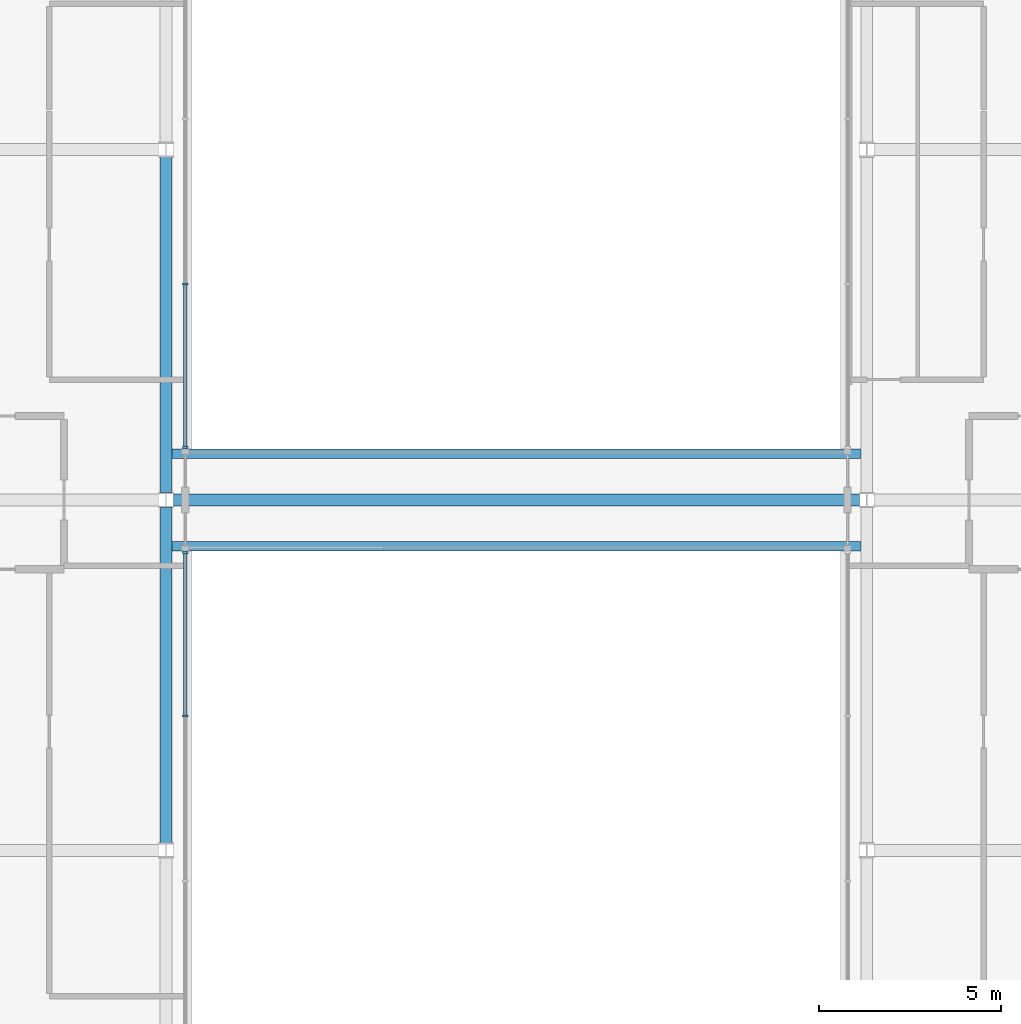
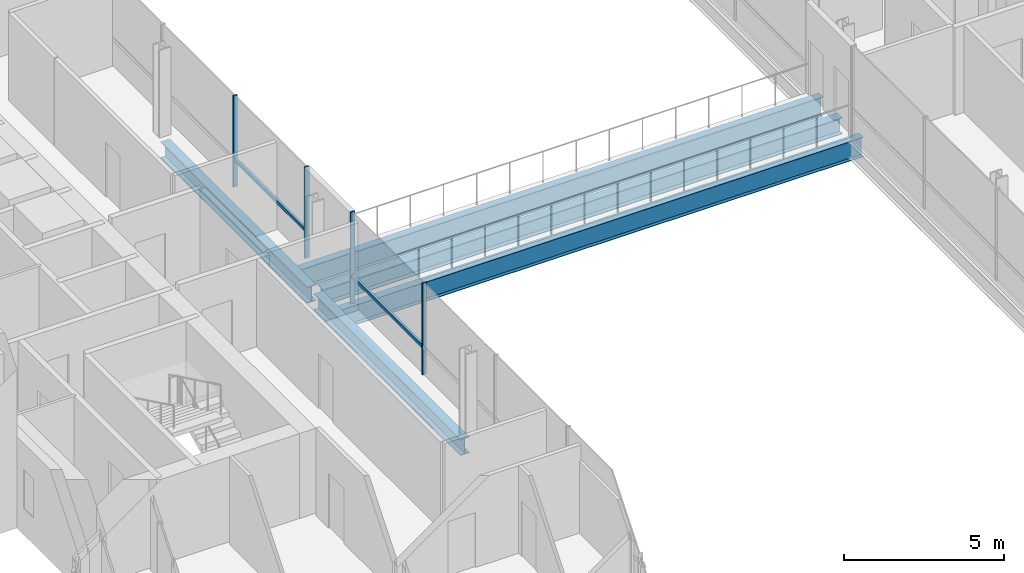
# One storey, part 4 of 26: 6 members, 5 beams, 2 elements without a shape of their own.
"""IFC4 building model written with IfcOpenShell, lengths in metres."""

from ifc_helpers import new_model, si_unit, direction, frame, origin, origin_2d, place, context, subcontext, project, spatial, rectangle, i_section, extrude, material, material_profile, profile_set, type_object, element, aggregate, save


model = new_model("IFC4")

# Units and contexts
model_context = context("Model", 3, precision=1e-05, world=origin(), true_north=direction((0.0, 1.0)))
body_context = subcontext(model_context, "Body", "Model", "MODEL_VIEW")
ifc_project = project(units=[si_unit("LENGTHUNIT", "METRE"), si_unit("AREAUNIT", "SQUARE_METRE"), si_unit("VOLUMEUNIT", "CUBIC_METRE"), si_unit("PLANEANGLEUNIT", "RADIAN"), si_unit("MASSUNIT", "GRAM", prefix="KILO")], contexts=[model_context])

# Site, building, storey
site_placement = place(None, origin())
site = spatial("IfcSite", under=ifc_project, at=site_placement, CompositionType="ELEMENT")
building_placement = place(site_placement, origin())
building = spatial("IfcBuilding", under=site, at=building_placement, Name="Cobrizo Arcos Hotel Tower", CompositionType="ELEMENT")
storey_placement = place(building_placement, frame((0.0, 0.0, 67.0)))
storey = spatial("IfcBuildingStorey", under=building, at=storey_placement, Name="L15", CompositionType="ELEMENT", Elevation=67.0)

# Curtain wall, members
ifc_material_1 = material(Name="Aluminium 6063-T6 anodised bronze", Category="aluminium")
curtain_wall_type = type_object("IfcCurtainWallType", Name="CW-F void screen", PredefinedType="NOTDEFINED", material=ifc_material_1)
curtain_wall_1_placement = place(storey_placement, origin())
curtain_wall_1 = element("IfcCurtainWall", 1, at=curtain_wall_1_placement, inside=storey, type_object=curtain_wall_type, Name="CW-F L15 void screen A", PredefinedType="NOTDEFINED")
ifc_material_profile_1 = material_profile(ifc_material_1, rectangle(XDim=0.14990234375, YDim=0.06005859375, at=origin_2d()), Name="CW-F mullion 150x60")
ifc_profile_set_1 = profile_set([ifc_material_profile_1], Name="Aluminium 6063-T6 anodised bronze")
member_type_1 = type_object("IfcMemberType", Name="CW-F mullion 150x60", PredefinedType="MULLION", material=ifc_profile_set_1)
member_1_placement = place(storey_placement, frame((-9.074951171875, 5.919921875, 0.0), z_axis=(0.0, 0.0, 1.0), x_axis=(-1.0, 0.0, 0.0)))
member_1 = element("IfcMember", 2, at=member_1_placement, type_object=member_type_1, Name="CW-F mullion 5", PredefinedType="MULLION", context=body_context, shape_type="SweptSolid", body=[
    extrude(rectangle(XDim=0.14990234375, YDim=0.06005859375, at=origin_2d()), origin(), (0.0, 0.0, 1.0), 3.5),
])
member_2_placement = place(storey_placement, frame((-9.074951171875, 1.429931640625, 0.0), z_axis=(0.0, 0.0, 1.0), x_axis=(-1.0, 0.0, 0.0)))
member_2 = element("IfcMember", 3, at=member_2_placement, type_object=member_type_1, Name="CW-F mullion 6", PredefinedType="MULLION", context=body_context, shape_type="SweptSolid", body=[
    extrude(rectangle(XDim=0.14990234375, YDim=0.06005859375, at=origin_2d()), origin(), (0.0, 0.0, 1.0), 3.5),
])

curtain_wall_2_placement = place(storey_placement, origin())
curtain_wall_2 = element("IfcCurtainWall", 4, at=curtain_wall_2_placement, inside=storey, type_object=curtain_wall_type, Name="CW-F L15 void screen A", PredefinedType="NOTDEFINED")
member_3_placement = place(storey_placement, frame((-9.074951171875, -1.429931640625, 0.0), z_axis=(0.0, 0.0, 1.0), x_axis=(-1.0, 0.0, 0.0)))
member_3 = element("IfcMember", 5, at=member_3_placement, type_object=member_type_1, Name="CW-F mullion 1", PredefinedType="MULLION", context=body_context, shape_type="SweptSolid", body=[
    extrude(rectangle(XDim=0.14990234375, YDim=0.06005859375, at=origin_2d()), origin(), (0.0, 0.0, 1.0), 3.5),
])
member_4_placement = place(storey_placement, frame((-9.074951171875, -5.919921875, 0.0), z_axis=(0.0, 0.0, 1.0), x_axis=(-1.0, 0.0, 0.0)))
member_4 = element("IfcMember", 6, at=member_4_placement, type_object=member_type_1, Name="CW-F mullion 2", PredefinedType="MULLION", context=body_context, shape_type="SweptSolid", body=[
    extrude(rectangle(XDim=0.14990234375, YDim=0.06005859375, at=origin_2d()), origin(), (0.0, 0.0, 1.0), 3.5),
])

# Member
ifc_material_profile_2 = material_profile(ifc_material_1, rectangle(XDim=0.10009765625, YDim=0.1201171875, at=origin_2d()), Name="CW-F transom 120x100")
ifc_profile_set_2 = profile_set([ifc_material_profile_2], Name="Aluminium 6063-T6 anodised bronze")
member_type_2 = type_object("IfcMemberType", Name="CW-F transom 120x100", PredefinedType="USERDEFINED", material=ifc_profile_set_2)
member_5_placement = place(storey_placement, frame((-9.074951171875, 5.889892578125, 1.050048828125), z_axis=(0.0, -1.0, 0.0), x_axis=(1.0, 0.0, 0.0)))
member_5 = element("IfcMember", 7, at=member_5_placement, type_object=member_type_2, Name="CW-F transom 2482", ObjectType="TRANSOM", PredefinedType="USERDEFINED", context=body_context, shape_type="SweptSolid", body=[
    extrude(rectangle(XDim=0.10009765625, YDim=0.1201171875, at=origin_2d()), origin(), (0.0, 0.0, 1.0), 4.429931640625),
])

aggregate(curtain_wall_1, [member_1, member_2, member_5])

member_6_placement = place(storey_placement, frame((-9.074951171875, -1.4599609375, 1.050048828125), z_axis=(0.0, -1.0, 0.0), x_axis=(1.0, 0.0, 0.0)))
member_6 = element("IfcMember", 8, at=member_6_placement, type_object=member_type_2, Name="CW-F transom 2483", ObjectType="TRANSOM", PredefinedType="USERDEFINED", context=body_context, shape_type="SweptSolid", body=[
    extrude(rectangle(XDim=0.10009765625, YDim=0.1201171875, at=origin_2d()), origin(), (0.0, 0.0, 1.0), 4.429931640625),
])

aggregate(curtain_wall_2, [member_3, member_4, member_6])

# Beams
ifc_material_2 = material(Name="Steel ASTM A992 Grade 50", Category="steel")
ifc_material_profile_3 = material_profile(ifc_material_2, i_section(OverallWidth=0.32763671875, OverallDepth=0.622314453125, WebThickness=0.015380859375, FlangeThickness=0.0244140625, at=origin_2d()), Name="W24X131")
ifc_profile_set_3 = profile_set([ifc_material_profile_3], Name="Steel ASTM A992 Grade 50")
beam_type_1 = type_object("IfcBeamType", Name="W24X131 girder", PredefinedType="BEAM", material=ifc_profile_set_3)
beam_placement = place(storey_placement, frame((-9.3955078125, 0.0, -0.461181640625), z_axis=(1.0, 0.0, 0.0), x_axis=(0.0, 1.0, 0.0)))
element("IfcBeam", 9, at=beam_placement, inside=storey, type_object=beam_type_1, Name="Floor girder G1, L15, no. 004", PredefinedType="BEAM", context=body_context, shape_type="SweptSolid", body=[
    extrude(i_section(OverallWidth=0.32763671875, OverallDepth=0.622314453125, WebThickness=0.015380859375, FlangeThickness=0.0244140625, at=origin_2d()), origin(), (0.0, 0.0, 1.0), 18.791015625),
])
for number, where, z_axis, x_axis, name in (
    (10, (-9.60009765625, -9.3955078125, -0.461181640625), (0.0, 1.0, 0.0), (-1.0, 0.0, 0.0), "Floor girder G1, L15, no. 009"),
    (11, (-9.60009765625, 0.204345703125, -0.461181640625), (0.0, 1.0, 0.0), (-1.0, 0.0, 0.0), "Floor girder G1, L15, no. 010"),
):
    element("IfcBeam", number, at=place(storey_placement, frame(where, z_axis=z_axis, x_axis=x_axis)), inside=storey, type_object=beam_type_1, Name=name, PredefinedType="BEAM", context=body_context, shape_type="SweptSolid", body=[
        extrude(i_section(OverallWidth=0.32763671875, OverallDepth=0.622314453125, WebThickness=0.015380859375, FlangeThickness=0.0244140625, at=origin_2d()), origin(), (0.0, 0.0, 1.0), 9.191162109375),
    ])
ifc_material_profile_4 = material_profile(ifc_material_2, i_section(OverallWidth=0.2666015625, OverallDepth=0.7568359375, WebThickness=0.013916015625, FlangeThickness=0.019287109375, at=origin_2d()), Name="W30X108")
ifc_profile_set_4 = profile_set([ifc_material_profile_4], Name="Steel ASTM A992 Grade 50")
beam_type_2 = type_object("IfcBeamType", Name="W30X108 bridge girder", PredefinedType="BEAM", material=ifc_profile_set_4)
for number, where, z_axis, x_axis, name in (
    (12, (-9.43603515625, -1.2666015625, -0.528564453125), (1.0, 0.0, 0.0), (0.0, 1.0, 0.0), "Bridge girder BG1, L15, no. 001"),
    (13, (-9.43603515625, 1.2666015625, -0.528564453125), (1.0, 0.0, 0.0), (0.0, 1.0, 0.0), "Bridge girder BG1, L15, no. 002"),
):
    element("IfcBeam", number, at=place(storey_placement, frame(where, z_axis=z_axis, x_axis=x_axis)), inside=storey, type_object=beam_type_2, Name=name, PredefinedType="BEAM", context=body_context, shape_type="SweptSolid", body=[
        extrude(i_section(OverallWidth=0.2666015625, OverallDepth=0.7568359375, WebThickness=0.013916015625, FlangeThickness=0.019287109375, at=origin_2d()), origin(), (0.0, 0.0, 1.0), 18.8720703125),
    ])

save(model, "model.ifc")
